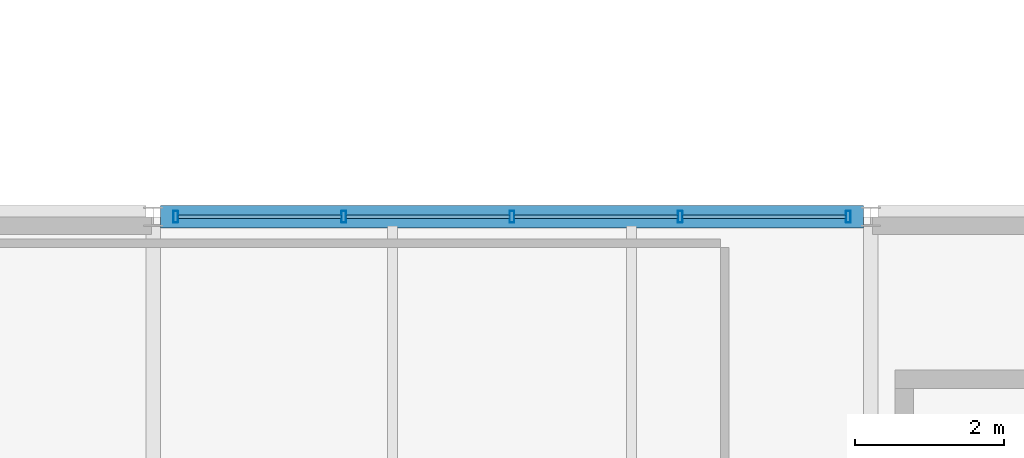
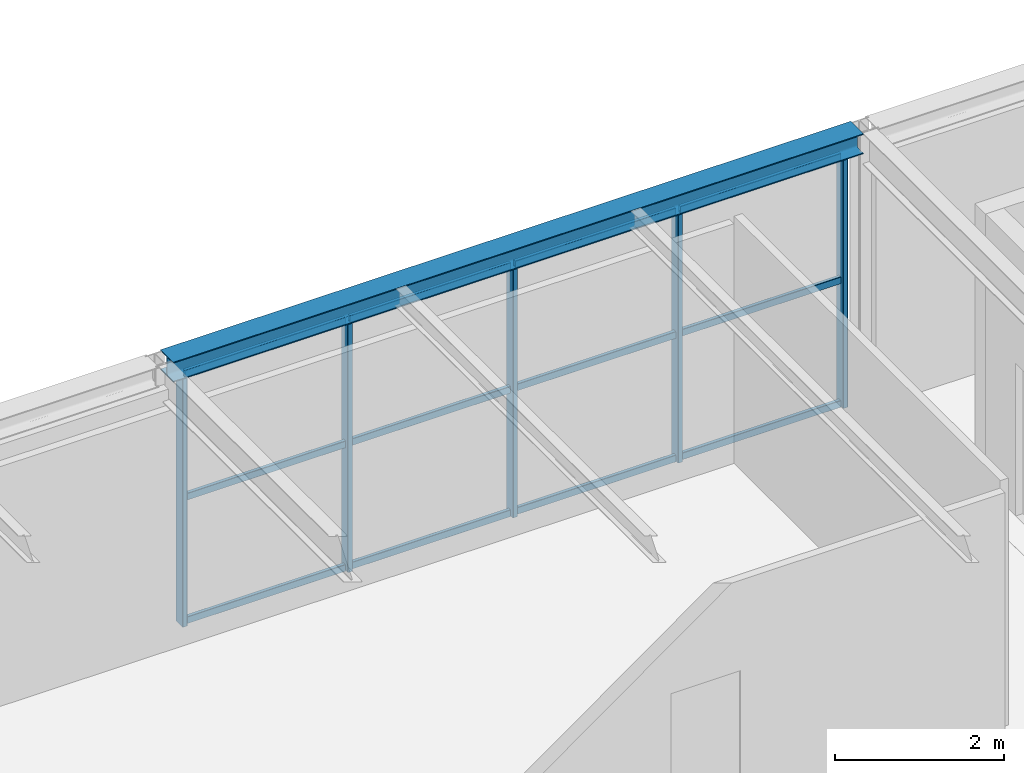
# One storey, part 24 of 33: 17 members, 1 beam, 1 element without a shape of its own.
"""IFC4 building model written with IfcOpenShell, lengths in metres."""

import ifcopenshell
import ifcopenshell.guid

model = None  # the IFC model being written
_history = None  # IfcOwnerHistory: only IFC2X3 demands one
_inside = {}  # id of a spatial element -> (the spatial element, [elements in it])
_under = {}  # id of a project, library or spatial element -> (it, [spatial elements below it])
_declared = {}  # id of a project -> (the project, [libraries it declares])
_typed = {}  # id of a type object -> (the type object, [elements of that type])
_made_of = {}  # id of a material, layer set ... -> (it, [elements and type objects made of it])


def new_model(schema):
    """Start an empty IFC model of exactly this schema.

    Asked for "IFC4X3", IfcOpenShell would pick the latest addendum, in which some entities
    have other attributes; the version numbers below select the first issue.
    IFC2X3 requires an IfcOwnerHistory on every rooted entity: one is made here for all.
    """
    global model, _history
    if schema == "IFC4X3":
        model = ifcopenshell.file(schema_version=(4, 3, 0, 0))
    else:
        model = ifcopenshell.file(schema=schema)
    _inside.clear()
    _under.clear()
    _declared.clear()
    _typed.clear()
    _made_of.clear()
    _history = None
    if model.schema == "IFC2X3":
        org = make("IfcOrganization", Name="unknown")
        user = make(
            "IfcPersonAndOrganization",
            ThePerson=make("IfcPerson", FamilyName="unknown"),
            TheOrganization=org,
        )
        app = make(
            "IfcApplication",
            ApplicationDeveloper=org,
            Version="unknown",
            ApplicationFullName="unknown",
            ApplicationIdentifier="unknown",
        )
        _history = make(
            "IfcOwnerHistory",
            OwningUser=user,
            OwningApplication=app,
            ChangeAction="ADDED",
            CreationDate=0,
        )
    return model


def make(cls, **values):
    """One entity of the class cls with the attributes given. An attribute that is None is left unset."""
    return model.create_entity(
        cls, **{name: value for name, value in values.items() if value is not None}
    )


def rooted(cls, **values):
    """An entity with a GlobalId (a new one), such as an element, a storey or a relation."""
    return make(cls, GlobalId=ifcopenshell.guid.new(), OwnerHistory=_history, **values)


def si_unit(unit_type, name, prefix=None):
    """IfcSIUnit, for example si_unit("LENGTHUNIT", "METRE", prefix="MILLI")."""
    return make("IfcSIUnit", UnitType=unit_type, Prefix=prefix, Name=name)


def assignment(units):
    """IfcUnitAssignment: the units of a project."""
    return None if units is None else make("IfcUnitAssignment", Units=units)


def point(xyz):
    """IfcCartesianPoint."""
    return None if xyz is None else make("IfcCartesianPoint", Coordinates=xyz)


def direction(xyz):
    """IfcDirection."""
    return None if xyz is None else make("IfcDirection", DirectionRatios=xyz)


def frame(location, z_axis=None, x_axis=None):
    """IfcAxis2Placement3D, a coordinate frame: its origin and axes. An axis left out is left unset."""
    return make(
        "IfcAxis2Placement3D",
        Location=point(location),
        Axis=direction(z_axis),
        RefDirection=direction(x_axis),
    )


def frame_2d(location, x_axis=None):
    """IfcAxis2Placement2D, a coordinate frame in the plane: its origin and x axis."""
    return make(
        "IfcAxis2Placement2D", Location=point(location), RefDirection=direction(x_axis)
    )


def origin():
    """The frame at (0, 0, 0) with its axes left unset."""
    return frame((0.0, 0.0, 0.0))


def origin_2d():
    """The frame at (0, 0) in the plane with its x axis left unset."""
    return frame_2d((0.0, 0.0))


def place(relative_to, where):
    """IfcLocalPlacement: puts the frame where relative to a parent placement (None: the world)."""
    return make(
        "IfcLocalPlacement", PlacementRelTo=relative_to, RelativePlacement=where
    )


def context(
    kind, dimensions, precision=None, world=None, true_north=None, identifier=None
):
    """IfcGeometricRepresentationContext, for example the 3D "Model" context."""
    return make(
        "IfcGeometricRepresentationContext",
        ContextIdentifier=identifier,
        ContextType=kind,
        CoordinateSpaceDimension=dimensions,
        Precision=precision,
        WorldCoordinateSystem=world,
        TrueNorth=true_north,
    )


def subcontext(parent, identifier, kind, view, scale=None):
    """IfcGeometricRepresentationSubContext, for example "Body" below "Model"."""
    return make(
        "IfcGeometricRepresentationSubContext",
        ContextIdentifier=identifier,
        ContextType=kind,
        ParentContext=parent,
        TargetScale=scale,
        TargetView=view,
    )


def project(units=None, contexts=None):
    """IfcProject with its units and contexts."""
    return rooted(
        "IfcProject",
        Name="project",
        RepresentationContexts=contexts,
        UnitsInContext=assignment(units),
    )


def spatial(cls, under=None, at=None, **own):
    """A site, building, storey or space (cls), placed at a placement, below another one or the project."""
    s = rooted(cls, ObjectPlacement=at, **own)
    if under is not None:
        _under.setdefault(under.id(), (under, []))[1].append(s)
    return s


def profile(cls, at=None, kind="AREA", **sizes):
    """A parametric profile (cls). Its sizes go by their IFC names, for example OverallWidth=200.0."""
    return make(cls, ProfileType=kind, Position=at, **sizes)


def hollow_rectangle(**sizes):
    """IfcRectangleHollowProfileDef."""
    return profile("IfcRectangleHollowProfileDef", **sizes)


def i_section(**sizes):
    """IfcIShapeProfileDef."""
    return profile("IfcIShapeProfileDef", **sizes)


def extrude(swept, where, along, depth):
    """IfcExtrudedAreaSolid: the profile swept, set in the frame where, extruded along a direction by depth."""
    return make(
        "IfcExtrudedAreaSolid",
        SweptArea=swept,
        Position=where,
        ExtrudedDirection=direction(along),
        Depth=depth,
    )


def shape(context_of_items, identifier, shape_type, items):
    """IfcShapeRepresentation: the items that make up one representation, for example the "Body"."""
    return make(
        "IfcShapeRepresentation",
        ContextOfItems=context_of_items,
        RepresentationIdentifier=identifier,
        RepresentationType=shape_type,
        Items=items,
    )


def material(Name=None, Category=None):
    """IfcMaterial."""
    return make("IfcMaterial", Name=Name, Category=Category)


def material_profile(
    of_material, cross_section, Name=None, Category=None, Priority=None
):
    """IfcMaterialProfile: a cross section and its material."""
    return make(
        "IfcMaterialProfile",
        Name=Name,
        Material=of_material,
        Profile=cross_section,
        Priority=Priority,
        Category=Category,
    )


def profile_set(profiles, Name=None, composite=None):
    """IfcMaterialProfileSet."""
    return make(
        "IfcMaterialProfileSet",
        Name=Name,
        MaterialProfiles=profiles,
        CompositeProfile=composite,
    )


def made_of(thing, what):
    """Note that an element or type object is made of a material, layer set ...; save() writes the relation."""
    if what is not None:
        _made_of.setdefault(what.id(), (what, []))[1].append(thing)
    return thing


def type_object(cls, material=None, **own):
    """A type object (cls), such as IfcWallType, which elements share."""
    return made_of(rooted(cls, **own), material)


def element(
    cls,
    number,
    at=None,
    inside=None,
    cuts=None,
    type_object=None,
    material=None,
    context=None,
    identifier="Body",
    shape_type=None,
    held_by="IfcProductDefinitionShape",
    body=None,
    shapes=None,
    **own,
):
    """One element of the class cls, such as IfcWall. Its Tag is "e" and its number.

    at: its placement. inside: the storey or other place that contains it. cuts: it is an
    opening in that element (IfcRelVoidsElement). A single representation is given by context,
    identifier, shape_type and body (its items); several are given by shapes. held_by: the class
    of the entity that holds the representations. save() writes the other relations.
    """
    e = rooted(cls, Tag="e%d" % number, ObjectPlacement=at, **own)
    if body is not None:
        shapes = [shape(context, identifier, shape_type, body)]
    if shapes is not None:
        e.Representation = make(held_by, Representations=shapes)
    if inside is not None:
        _inside.setdefault(inside.id(), (inside, []))[1].append(e)
    if cuts is not None:
        rooted(
            "IfcRelVoidsElement", RelatingBuildingElement=cuts, RelatedOpeningElement=e
        )
    if type_object is not None:
        _typed.setdefault(type_object.id(), (type_object, []))[1].append(e)
    return made_of(e, material)


def aggregate(whole, parts):
    """IfcRelAggregates: a whole, such as a stair, and the parts it consists of."""
    return rooted("IfcRelAggregates", RelatingObject=whole, RelatedObjects=parts)


def save(model, path):
    """Write the relations noted so far, then the file.

    IfcRelAggregates (storeys below a building ...), IfcRelContainedInSpatialStructure (elements
    in a storey), IfcRelDefinesByType, IfcRelAssociatesMaterial and IfcRelDeclares: one each for
    every whole, place, type object, material and project.
    """
    for whole, parts in _under.values():
        aggregate(whole, parts)
    for where, things in _inside.values():
        rooted(
            "IfcRelContainedInSpatialStructure",
            RelatedElements=things,
            RelatingStructure=where,
        )
    for kind, things in _typed.values():
        rooted("IfcRelDefinesByType", RelatedObjects=things, RelatingType=kind)
    for what, things in _made_of.values():
        rooted("IfcRelAssociatesMaterial", RelatedObjects=things, RelatingMaterial=what)
    for by, libraries in _declared.values():
        rooted("IfcRelDeclares", RelatingContext=by, RelatedDefinitions=libraries)
    model.write(path)


model = new_model("IFC4")

# Units and contexts
model_context = context("Model", 3, precision=1e-05, world=origin(), true_north=direction((0.0, 1.0)))
body_context = subcontext(model_context, "Body", "Model", "MODEL_VIEW")
ifc_project = project(units=[si_unit("LENGTHUNIT", "METRE"), si_unit("AREAUNIT", "SQUARE_METRE"), si_unit("VOLUMEUNIT", "CUBIC_METRE"), si_unit("PLANEANGLEUNIT", "RADIAN"), si_unit("MASSUNIT", "GRAM", prefix="KILO")], contexts=[model_context])

# Site, building, storey
site_placement = place(None, origin())
site = spatial("IfcSite", under=ifc_project, at=site_placement, CompositionType="ELEMENT")
building_placement = place(site_placement, origin())
building = spatial("IfcBuilding", under=site, at=building_placement, Name="Coralgate Yard Interchange", CompositionType="ELEMENT")
storey_placement = place(building_placement, frame((0.0, 0.0, 23.10009765625)))
storey = spatial("IfcBuildingStorey", under=building, at=storey_placement, Name="L05", CompositionType="ELEMENT", Elevation=23.10009765625)

# Beam
ifc_material_1 = material(Name="Structural steel S355J2", Category="steel")
ifc_material_profile_1 = material_profile(ifc_material_1, i_section(OverallWidth=0.300048828125, OverallDepth=0.2900390625, WebThickness=0.008544921875, FlangeThickness=0.013916015625, FilletRadius=0.027099609375, at=origin_2d()), Name="HEA 300")
ifc_profile_set_1 = profile_set([ifc_material_profile_1], Name="Structural steel S355J2")
beam_type = type_object("IfcBeamType", Name="BM-SP-2", PredefinedType="SPANDREL", material=ifc_profile_set_1)
beam_placement = place(storey_placement, frame((38.498046875, 19.199951171875, 3.77490234375), z_axis=(1.0, 0.0, 0.0), x_axis=(0.0, 1.0, 0.0)))
element("IfcBeam", 1, at=beam_placement, inside=storey, type_object=beam_type, Name="L05 primary grid beam Y2 X4-5", PredefinedType="SPANDREL", context=body_context, shape_type="SweptSolid", body=[
    extrude(i_section(OverallWidth=0.300048828125, OverallDepth=0.2900390625, WebThickness=0.008544921875, FlangeThickness=0.013916015625, FilletRadius=0.027099609375, at=origin_2d()), origin(), (0.0, 0.0, 1.0), 9.40380859375),
])

# Curtain wall, members
ifc_material_2 = material(Name="Anodised coastal aluminium and solar-control low-E glass", Category="aluminium")
curtain_wall_type = type_object("IfcCurtainWallType", Name="CW-CW-L05-A", PredefinedType="NOTDEFINED", material=ifc_material_2)
curtain_wall_placement = place(storey_placement, origin())
curtain_wall = element("IfcCurtainWall", 2, at=curtain_wall_placement, inside=storey, type_object=curtain_wall_type, Name="L05 unitised curtain wall CW-L05-N-04-01", PredefinedType="NOTDEFINED")
ifc_material_3 = material(Name="Anodised coastal aluminium 6063-T6", Category="aluminium")
ifc_material_profile_2 = material_profile(ifc_material_3, hollow_rectangle(XDim=0.06494140625, YDim=0.159912109375, WallThickness=0.00390625, InnerFilletRadius=0.00390625, OuterFilletRadius=0.008056640625, at=origin_2d()), Name="ALU 65x160x4")
ifc_profile_set_2 = profile_set([ifc_material_profile_2], Name="Anodised coastal aluminium 6063-T6")
member_type_1 = type_object("IfcMemberType", Name="MB-MUL-160", PredefinedType="MULLION", material=ifc_profile_set_2)
member_1_placement = place(storey_placement, frame((38.699951171875, 19.199951171875, 0.0), z_axis=(0.0, 0.0, 1.0), x_axis=(1.0, 0.0, 0.0)))
member_1 = element("IfcMember", 3, at=member_1_placement, type_object=member_type_1, Name="CW-L05-N-04-01 vertical mullion 1", PredefinedType="MULLION", context=body_context, shape_type="SweptSolid", body=[
    extrude(hollow_rectangle(XDim=0.06494140625, YDim=0.159912109375, WallThickness=0.00390625, InnerFilletRadius=0.00390625, OuterFilletRadius=0.008056640625, at=origin_2d()), origin(), (0.0, 0.0, 1.0), 3.6298828125),
])
member_2_placement = place(storey_placement, frame((40.949951171875, 19.199951171875, 0.0), z_axis=(0.0, 0.0, 1.0), x_axis=(1.0, 0.0, 0.0)))
member_2 = element("IfcMember", 4, at=member_2_placement, type_object=member_type_1, Name="CW-L05-N-04-01 vertical mullion 2", PredefinedType="MULLION", context=body_context, shape_type="SweptSolid", body=[
    extrude(hollow_rectangle(XDim=0.06494140625, YDim=0.159912109375, WallThickness=0.00390625, InnerFilletRadius=0.00390625, OuterFilletRadius=0.008056640625, at=origin_2d()), origin(), (0.0, 0.0, 1.0), 3.6298828125),
])
member_3_placement = place(storey_placement, frame((43.199951171875, 19.199951171875, 0.0), z_axis=(0.0, 0.0, 1.0), x_axis=(1.0, 0.0, 0.0)))
member_3 = element("IfcMember", 5, at=member_3_placement, type_object=member_type_1, Name="CW-L05-N-04-01 vertical mullion 3", PredefinedType="MULLION", context=body_context, shape_type="SweptSolid", body=[
    extrude(hollow_rectangle(XDim=0.06494140625, YDim=0.159912109375, WallThickness=0.00390625, InnerFilletRadius=0.00390625, OuterFilletRadius=0.008056640625, at=origin_2d()), origin(), (0.0, 0.0, 1.0), 3.6298828125),
])
member_4_placement = place(storey_placement, frame((45.449951171875, 19.199951171875, 0.0), z_axis=(0.0, 0.0, 1.0), x_axis=(1.0, 0.0, 0.0)))
member_4 = element("IfcMember", 6, at=member_4_placement, type_object=member_type_1, Name="CW-L05-N-04-01 vertical mullion 4", PredefinedType="MULLION", context=body_context, shape_type="SweptSolid", body=[
    extrude(hollow_rectangle(XDim=0.06494140625, YDim=0.159912109375, WallThickness=0.00390625, InnerFilletRadius=0.00390625, OuterFilletRadius=0.008056640625, at=origin_2d()), origin(), (0.0, 0.0, 1.0), 3.6298828125),
])
member_5_placement = place(storey_placement, frame((47.699951171875, 19.199951171875, 0.0), z_axis=(0.0, 0.0, 1.0), x_axis=(1.0, 0.0, 0.0)))
member_5 = element("IfcMember", 7, at=member_5_placement, type_object=member_type_1, Name="CW-L05-N-04-01 vertical mullion 5", PredefinedType="MULLION", context=body_context, shape_type="SweptSolid", body=[
    extrude(hollow_rectangle(XDim=0.06494140625, YDim=0.159912109375, WallThickness=0.00390625, InnerFilletRadius=0.00390625, OuterFilletRadius=0.008056640625, at=origin_2d()), origin(), (0.0, 0.0, 1.0), 3.6298828125),
])
ifc_material_profile_3 = material_profile(ifc_material_3, hollow_rectangle(XDim=0.050048828125, YDim=0.10009765625, WallThickness=0.0029296875, InnerFilletRadius=0.0029296875, OuterFilletRadius=0.006103515625, at=origin_2d()), Name="ALU 50x100x3")
ifc_profile_set_3 = profile_set([ifc_material_profile_3], Name="Anodised coastal aluminium 6063-T6")
member_type_2 = type_object("IfcMemberType", Name="MB-TRN-100", PredefinedType="USERDEFINED", material=ifc_profile_set_3)
member_6_placement = place(storey_placement, frame((38.72998046875, 19.199951171875, 0.034912109375), z_axis=(1.0, 0.0, 0.0), x_axis=(0.0, 1.0, 0.0)))
member_6 = element("IfcMember", 8, at=member_6_placement, type_object=member_type_2, Name="CW-L05-N-04-01 horizontal transom 1-1", ObjectType="TRANSOM", PredefinedType="USERDEFINED", context=body_context, shape_type="SweptSolid", body=[
    extrude(hollow_rectangle(XDim=0.050048828125, YDim=0.10009765625, WallThickness=0.0029296875, InnerFilletRadius=0.0029296875, OuterFilletRadius=0.006103515625, at=origin_2d()), origin(), (0.0, 0.0, 1.0), 2.18994140625),
])
member_7_placement = place(storey_placement, frame((38.72998046875, 19.199951171875, 1.81494140625), z_axis=(1.0, 0.0, 0.0), x_axis=(0.0, 1.0, 0.0)))
member_7 = element("IfcMember", 9, at=member_7_placement, type_object=member_type_2, Name="CW-L05-N-04-01 horizontal transom 1-2", ObjectType="TRANSOM", PredefinedType="USERDEFINED", context=body_context, shape_type="SweptSolid", body=[
    extrude(hollow_rectangle(XDim=0.050048828125, YDim=0.10009765625, WallThickness=0.0029296875, InnerFilletRadius=0.0029296875, OuterFilletRadius=0.006103515625, at=origin_2d()), origin(), (0.0, 0.0, 1.0), 2.18994140625),
])
member_8_placement = place(storey_placement, frame((38.72998046875, 19.199951171875, 3.594970703125), z_axis=(1.0, 0.0, 0.0), x_axis=(0.0, 1.0, 0.0)))
member_8 = element("IfcMember", 10, at=member_8_placement, type_object=member_type_2, Name="CW-L05-N-04-01 horizontal transom 1-3", ObjectType="TRANSOM", PredefinedType="USERDEFINED", context=body_context, shape_type="SweptSolid", body=[
    extrude(hollow_rectangle(XDim=0.050048828125, YDim=0.10009765625, WallThickness=0.0029296875, InnerFilletRadius=0.0029296875, OuterFilletRadius=0.006103515625, at=origin_2d()), origin(), (0.0, 0.0, 1.0), 2.18994140625),
])
member_9_placement = place(storey_placement, frame((40.97998046875, 19.199951171875, 0.034912109375), z_axis=(1.0, 0.0, 0.0), x_axis=(0.0, 1.0, 0.0)))
member_9 = element("IfcMember", 11, at=member_9_placement, type_object=member_type_2, Name="CW-L05-N-04-01 horizontal transom 2-1", ObjectType="TRANSOM", PredefinedType="USERDEFINED", context=body_context, shape_type="SweptSolid", body=[
    extrude(hollow_rectangle(XDim=0.050048828125, YDim=0.10009765625, WallThickness=0.0029296875, InnerFilletRadius=0.0029296875, OuterFilletRadius=0.006103515625, at=origin_2d()), origin(), (0.0, 0.0, 1.0), 2.18994140625),
])
member_10_placement = place(storey_placement, frame((40.97998046875, 19.199951171875, 1.81494140625), z_axis=(1.0, 0.0, 0.0), x_axis=(0.0, 1.0, 0.0)))
member_10 = element("IfcMember", 12, at=member_10_placement, type_object=member_type_2, Name="CW-L05-N-04-01 horizontal transom 2-2", ObjectType="TRANSOM", PredefinedType="USERDEFINED", context=body_context, shape_type="SweptSolid", body=[
    extrude(hollow_rectangle(XDim=0.050048828125, YDim=0.10009765625, WallThickness=0.0029296875, InnerFilletRadius=0.0029296875, OuterFilletRadius=0.006103515625, at=origin_2d()), origin(), (0.0, 0.0, 1.0), 2.18994140625),
])
member_11_placement = place(storey_placement, frame((40.97998046875, 19.199951171875, 3.594970703125), z_axis=(1.0, 0.0, 0.0), x_axis=(0.0, 1.0, 0.0)))
member_11 = element("IfcMember", 13, at=member_11_placement, type_object=member_type_2, Name="CW-L05-N-04-01 horizontal transom 2-3", ObjectType="TRANSOM", PredefinedType="USERDEFINED", context=body_context, shape_type="SweptSolid", body=[
    extrude(hollow_rectangle(XDim=0.050048828125, YDim=0.10009765625, WallThickness=0.0029296875, InnerFilletRadius=0.0029296875, OuterFilletRadius=0.006103515625, at=origin_2d()), origin(), (0.0, 0.0, 1.0), 2.18994140625),
])
member_12_placement = place(storey_placement, frame((43.22998046875, 19.199951171875, 0.034912109375), z_axis=(1.0, 0.0, 0.0), x_axis=(0.0, 1.0, 0.0)))
member_12 = element("IfcMember", 14, at=member_12_placement, type_object=member_type_2, Name="CW-L05-N-04-01 horizontal transom 3-1", ObjectType="TRANSOM", PredefinedType="USERDEFINED", context=body_context, shape_type="SweptSolid", body=[
    extrude(hollow_rectangle(XDim=0.050048828125, YDim=0.10009765625, WallThickness=0.0029296875, InnerFilletRadius=0.0029296875, OuterFilletRadius=0.006103515625, at=origin_2d()), origin(), (0.0, 0.0, 1.0), 2.18994140625),
])
member_13_placement = place(storey_placement, frame((43.22998046875, 19.199951171875, 1.81494140625), z_axis=(1.0, 0.0, 0.0), x_axis=(0.0, 1.0, 0.0)))
member_13 = element("IfcMember", 15, at=member_13_placement, type_object=member_type_2, Name="CW-L05-N-04-01 horizontal transom 3-2", ObjectType="TRANSOM", PredefinedType="USERDEFINED", context=body_context, shape_type="SweptSolid", body=[
    extrude(hollow_rectangle(XDim=0.050048828125, YDim=0.10009765625, WallThickness=0.0029296875, InnerFilletRadius=0.0029296875, OuterFilletRadius=0.006103515625, at=origin_2d()), origin(), (0.0, 0.0, 1.0), 2.18994140625),
])
member_14_placement = place(storey_placement, frame((43.22998046875, 19.199951171875, 3.594970703125), z_axis=(1.0, 0.0, 0.0), x_axis=(0.0, 1.0, 0.0)))
member_14 = element("IfcMember", 16, at=member_14_placement, type_object=member_type_2, Name="CW-L05-N-04-01 horizontal transom 3-3", ObjectType="TRANSOM", PredefinedType="USERDEFINED", context=body_context, shape_type="SweptSolid", body=[
    extrude(hollow_rectangle(XDim=0.050048828125, YDim=0.10009765625, WallThickness=0.0029296875, InnerFilletRadius=0.0029296875, OuterFilletRadius=0.006103515625, at=origin_2d()), origin(), (0.0, 0.0, 1.0), 2.18994140625),
])
member_15_placement = place(storey_placement, frame((45.47998046875, 19.199951171875, 0.034912109375), z_axis=(1.0, 0.0, 0.0), x_axis=(0.0, 1.0, 0.0)))
member_15 = element("IfcMember", 17, at=member_15_placement, type_object=member_type_2, Name="CW-L05-N-04-01 horizontal transom 4-1", ObjectType="TRANSOM", PredefinedType="USERDEFINED", context=body_context, shape_type="SweptSolid", body=[
    extrude(hollow_rectangle(XDim=0.050048828125, YDim=0.10009765625, WallThickness=0.0029296875, InnerFilletRadius=0.0029296875, OuterFilletRadius=0.006103515625, at=origin_2d()), origin(), (0.0, 0.0, 1.0), 2.18994140625),
])
member_16_placement = place(storey_placement, frame((45.47998046875, 19.199951171875, 1.81494140625), z_axis=(1.0, 0.0, 0.0), x_axis=(0.0, 1.0, 0.0)))
member_16 = element("IfcMember", 18, at=member_16_placement, type_object=member_type_2, Name="CW-L05-N-04-01 horizontal transom 4-2", ObjectType="TRANSOM", PredefinedType="USERDEFINED", context=body_context, shape_type="SweptSolid", body=[
    extrude(hollow_rectangle(XDim=0.050048828125, YDim=0.10009765625, WallThickness=0.0029296875, InnerFilletRadius=0.0029296875, OuterFilletRadius=0.006103515625, at=origin_2d()), origin(), (0.0, 0.0, 1.0), 2.18994140625),
])
member_17_placement = place(storey_placement, frame((45.47998046875, 19.199951171875, 3.594970703125), z_axis=(1.0, 0.0, 0.0), x_axis=(0.0, 1.0, 0.0)))
member_17 = element("IfcMember", 19, at=member_17_placement, type_object=member_type_2, Name="CW-L05-N-04-01 horizontal transom 4-3", ObjectType="TRANSOM", PredefinedType="USERDEFINED", context=body_context, shape_type="SweptSolid", body=[
    extrude(hollow_rectangle(XDim=0.050048828125, YDim=0.10009765625, WallThickness=0.0029296875, InnerFilletRadius=0.0029296875, OuterFilletRadius=0.006103515625, at=origin_2d()), origin(), (0.0, 0.0, 1.0), 2.18994140625),
])
aggregate(curtain_wall, [member_1, member_2, member_3, member_4, member_5, member_6, member_7, member_8, member_9, member_10, member_11, member_12, member_13, member_14, member_15, member_16, member_17])

save(model, "model.ifc")
